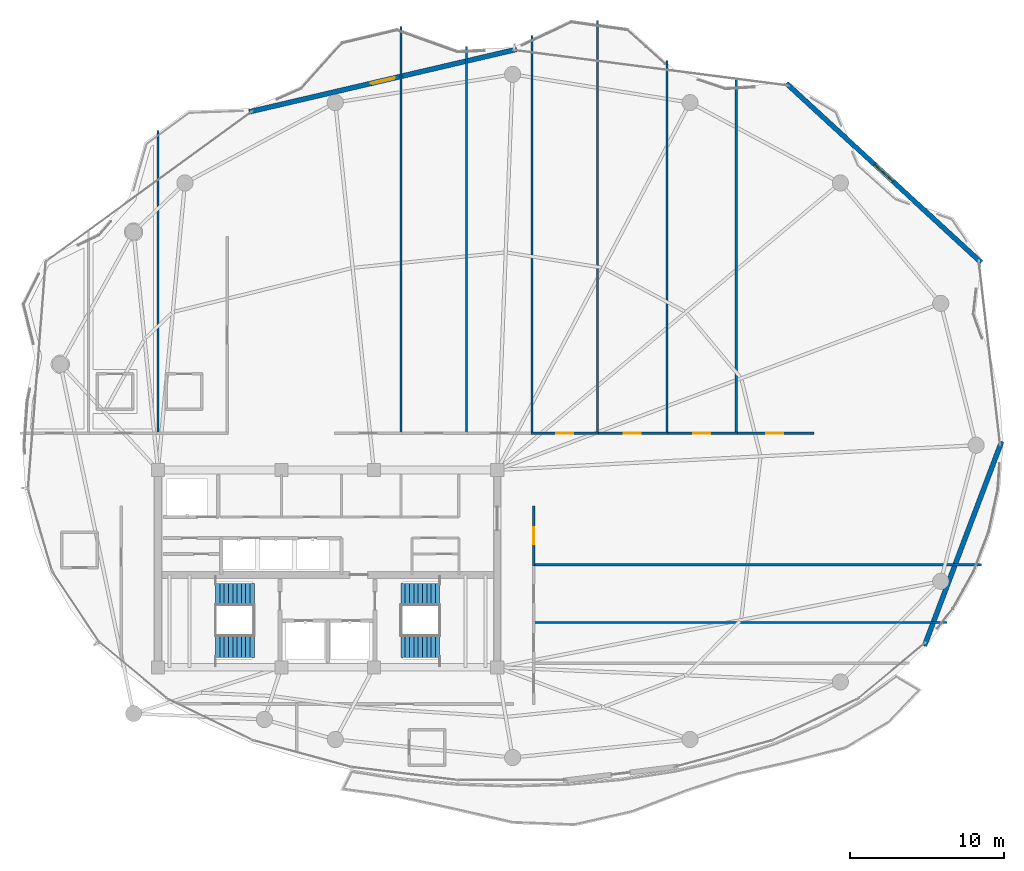
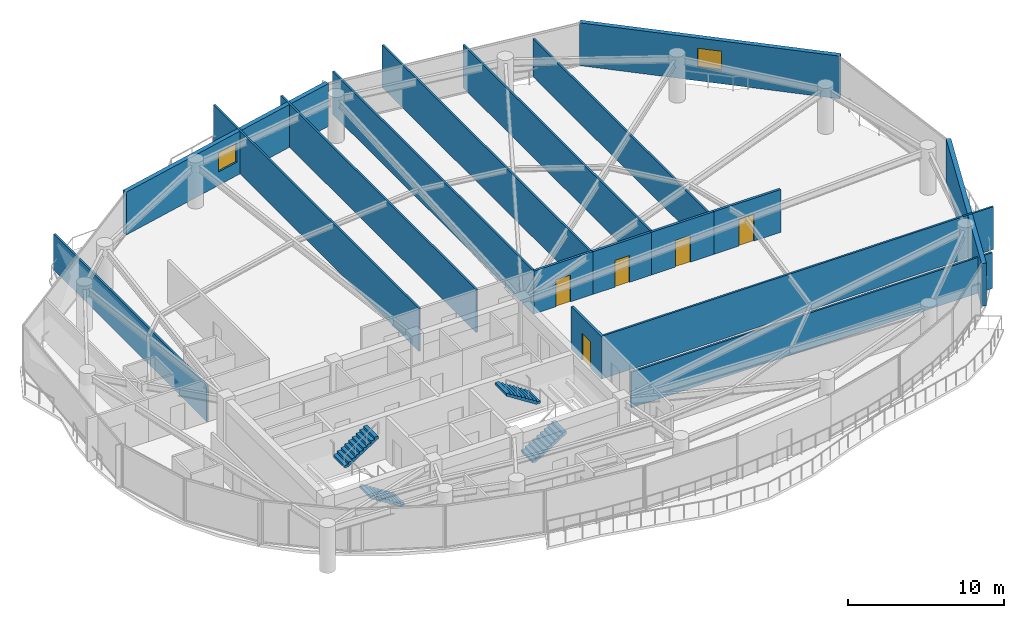
# One storey, part 27 of 31: 17 walls, 5 doors, 4 stair flights, 2 windows, 7 openings, 2 elements without a shape of their own.
"""IFC4 building model written with IfcOpenShell, lengths in metres."""

import ifcopenshell
import ifcopenshell.guid

model = None  # the IFC model being written
_history = None  # IfcOwnerHistory: only IFC2X3 demands one
_inside = {}  # id of a spatial element -> (the spatial element, [elements in it])
_under = {}  # id of a project, library or spatial element -> (it, [spatial elements below it])
_declared = {}  # id of a project -> (the project, [libraries it declares])
_typed = {}  # id of a type object -> (the type object, [elements of that type])
_made_of = {}  # id of a material, layer set ... -> (it, [elements and type objects made of it])


def new_model(schema):
    """Start an empty IFC model of exactly this schema.

    Asked for "IFC4X3", IfcOpenShell would pick the latest addendum, in which some entities
    have other attributes; the version numbers below select the first issue.
    IFC2X3 requires an IfcOwnerHistory on every rooted entity: one is made here for all.
    """
    global model, _history
    if schema == "IFC4X3":
        model = ifcopenshell.file(schema_version=(4, 3, 0, 0))
    else:
        model = ifcopenshell.file(schema=schema)
    _inside.clear()
    _under.clear()
    _declared.clear()
    _typed.clear()
    _made_of.clear()
    _history = None
    if model.schema == "IFC2X3":
        org = make("IfcOrganization", Name="unknown")
        user = make(
            "IfcPersonAndOrganization",
            ThePerson=make("IfcPerson", FamilyName="unknown"),
            TheOrganization=org,
        )
        app = make(
            "IfcApplication",
            ApplicationDeveloper=org,
            Version="unknown",
            ApplicationFullName="unknown",
            ApplicationIdentifier="unknown",
        )
        _history = make(
            "IfcOwnerHistory",
            OwningUser=user,
            OwningApplication=app,
            ChangeAction="ADDED",
            CreationDate=0,
        )
    return model


def make(cls, **values):
    """One entity of the class cls with the attributes given. An attribute that is None is left unset."""
    return model.create_entity(
        cls, **{name: value for name, value in values.items() if value is not None}
    )


def rooted(cls, **values):
    """An entity with a GlobalId (a new one), such as an element, a storey or a relation."""
    return make(cls, GlobalId=ifcopenshell.guid.new(), OwnerHistory=_history, **values)


def si_unit(unit_type, name, prefix=None):
    """IfcSIUnit, for example si_unit("LENGTHUNIT", "METRE", prefix="MILLI")."""
    return make("IfcSIUnit", UnitType=unit_type, Prefix=prefix, Name=name)


def assignment(units):
    """IfcUnitAssignment: the units of a project."""
    return None if units is None else make("IfcUnitAssignment", Units=units)


def point(xyz):
    """IfcCartesianPoint."""
    return None if xyz is None else make("IfcCartesianPoint", Coordinates=xyz)


def direction(xyz):
    """IfcDirection."""
    return None if xyz is None else make("IfcDirection", DirectionRatios=xyz)


def frame(location, z_axis=None, x_axis=None):
    """IfcAxis2Placement3D, a coordinate frame: its origin and axes. An axis left out is left unset."""
    return make(
        "IfcAxis2Placement3D",
        Location=point(location),
        Axis=direction(z_axis),
        RefDirection=direction(x_axis),
    )


def frame_2d(location, x_axis=None):
    """IfcAxis2Placement2D, a coordinate frame in the plane: its origin and x axis."""
    return make(
        "IfcAxis2Placement2D", Location=point(location), RefDirection=direction(x_axis)
    )


def origin():
    """The frame at (0, 0, 0) with its axes left unset."""
    return frame((0.0, 0.0, 0.0))


def place(relative_to, where):
    """IfcLocalPlacement: puts the frame where relative to a parent placement (None: the world)."""
    return make(
        "IfcLocalPlacement", PlacementRelTo=relative_to, RelativePlacement=where
    )


def context(
    kind, dimensions, precision=None, world=None, true_north=None, identifier=None
):
    """IfcGeometricRepresentationContext, for example the 3D "Model" context."""
    return make(
        "IfcGeometricRepresentationContext",
        ContextIdentifier=identifier,
        ContextType=kind,
        CoordinateSpaceDimension=dimensions,
        Precision=precision,
        WorldCoordinateSystem=world,
        TrueNorth=true_north,
    )


def subcontext(parent, identifier, kind, view, scale=None):
    """IfcGeometricRepresentationSubContext, for example "Body" below "Model"."""
    return make(
        "IfcGeometricRepresentationSubContext",
        ContextIdentifier=identifier,
        ContextType=kind,
        ParentContext=parent,
        TargetScale=scale,
        TargetView=view,
    )


def project(units=None, contexts=None):
    """IfcProject with its units and contexts."""
    return rooted(
        "IfcProject",
        Name="project",
        RepresentationContexts=contexts,
        UnitsInContext=assignment(units),
    )


def spatial(cls, under=None, at=None, **own):
    """A site, building, storey or space (cls), placed at a placement, below another one or the project."""
    s = rooted(cls, ObjectPlacement=at, **own)
    if under is not None:
        _under.setdefault(under.id(), (under, []))[1].append(s)
    return s


def polyline(points):
    """IfcPolyline through the points."""
    return make("IfcPolyline", Points=[point(p) for p in points])


def profile(cls, at=None, kind="AREA", **sizes):
    """A parametric profile (cls). Its sizes go by their IFC names, for example OverallWidth=200.0."""
    return make(cls, ProfileType=kind, Position=at, **sizes)


def rectangle(**sizes):
    """IfcRectangleProfileDef."""
    return profile("IfcRectangleProfileDef", **sizes)


def outline(outer, holes=None, kind="AREA"):
    """IfcArbitraryClosedProfileDef: a profile drawn as a closed curve; with holes, ...WithVoids."""
    if holes is None:
        return make("IfcArbitraryClosedProfileDef", ProfileType=kind, OuterCurve=outer)
    return make(
        "IfcArbitraryProfileDefWithVoids",
        ProfileType=kind,
        OuterCurve=outer,
        InnerCurves=holes,
    )


def extrude(swept, where, along, depth):
    """IfcExtrudedAreaSolid: the profile swept, set in the frame where, extruded along a direction by depth."""
    return make(
        "IfcExtrudedAreaSolid",
        SweptArea=swept,
        Position=where,
        ExtrudedDirection=direction(along),
        Depth=depth,
    )


def shape(context_of_items, identifier, shape_type, items):
    """IfcShapeRepresentation: the items that make up one representation, for example the "Body"."""
    return make(
        "IfcShapeRepresentation",
        ContextOfItems=context_of_items,
        RepresentationIdentifier=identifier,
        RepresentationType=shape_type,
        Items=items,
    )


def material(Name=None, Category=None):
    """IfcMaterial."""
    return make("IfcMaterial", Name=Name, Category=Category)


def layer(
    of_material, thickness, ventilated=None, Name=None, Category=None, Priority=None
):
    """IfcMaterialLayer: one layer of a wall or slab, of a material (None: an air gap)."""
    return make(
        "IfcMaterialLayer",
        Material=of_material,
        LayerThickness=thickness,
        IsVentilated=ventilated,
        Name=Name,
        Category=Category,
        Priority=Priority,
    )


def layer_set(layers, Name=None):
    """IfcMaterialLayerSet."""
    return make("IfcMaterialLayerSet", MaterialLayers=layers, LayerSetName=Name)


def made_of(thing, what):
    """Note that an element or type object is made of a material, layer set ...; save() writes the relation."""
    if what is not None:
        _made_of.setdefault(what.id(), (what, []))[1].append(thing)
    return thing


def type_object(cls, material=None, **own):
    """A type object (cls), such as IfcWallType, which elements share."""
    return made_of(rooted(cls, **own), material)


def element(
    cls,
    number,
    at=None,
    inside=None,
    cuts=None,
    type_object=None,
    material=None,
    context=None,
    identifier="Body",
    shape_type=None,
    held_by="IfcProductDefinitionShape",
    body=None,
    shapes=None,
    **own,
):
    """One element of the class cls, such as IfcWall. Its Tag is "e" and its number.

    at: its placement. inside: the storey or other place that contains it. cuts: it is an
    opening in that element (IfcRelVoidsElement). A single representation is given by context,
    identifier, shape_type and body (its items); several are given by shapes. held_by: the class
    of the entity that holds the representations. save() writes the other relations.
    """
    e = rooted(cls, Tag="e%d" % number, ObjectPlacement=at, **own)
    if body is not None:
        shapes = [shape(context, identifier, shape_type, body)]
    if shapes is not None:
        e.Representation = make(held_by, Representations=shapes)
    if inside is not None:
        _inside.setdefault(inside.id(), (inside, []))[1].append(e)
    if cuts is not None:
        rooted(
            "IfcRelVoidsElement", RelatingBuildingElement=cuts, RelatedOpeningElement=e
        )
    if type_object is not None:
        _typed.setdefault(type_object.id(), (type_object, []))[1].append(e)
    return made_of(e, material)


def fill(opening, filler):
    """IfcRelFillsElement: the door or window that sits in an opening."""
    return rooted(
        "IfcRelFillsElement",
        RelatingOpeningElement=opening,
        RelatedBuildingElement=filler,
    )


def aggregate(whole, parts):
    """IfcRelAggregates: a whole, such as a stair, and the parts it consists of."""
    return rooted("IfcRelAggregates", RelatingObject=whole, RelatedObjects=parts)


def save(model, path):
    """Write the relations noted so far, then the file.

    IfcRelAggregates (storeys below a building ...), IfcRelContainedInSpatialStructure (elements
    in a storey), IfcRelDefinesByType, IfcRelAssociatesMaterial and IfcRelDeclares: one each for
    every whole, place, type object, material and project.
    """
    for whole, parts in _under.values():
        aggregate(whole, parts)
    for where, things in _inside.values():
        rooted(
            "IfcRelContainedInSpatialStructure",
            RelatedElements=things,
            RelatingStructure=where,
        )
    for kind, things in _typed.values():
        rooted("IfcRelDefinesByType", RelatedObjects=things, RelatingType=kind)
    for what, things in _made_of.values():
        rooted("IfcRelAssociatesMaterial", RelatedObjects=things, RelatingMaterial=what)
    for by, libraries in _declared.values():
        rooted("IfcRelDeclares", RelatingContext=by, RelatedDefinitions=libraries)
    model.write(path)


model = new_model("IFC4")

# Units and contexts
model_context = context("Model", 3, precision=1e-05, world=origin(), true_north=direction((0.0, 1.0)))
body_context = subcontext(model_context, "Body", "Model", "MODEL_VIEW")
ifc_project = project(units=[si_unit("LENGTHUNIT", "METRE"), si_unit("AREAUNIT", "SQUARE_METRE"), si_unit("VOLUMEUNIT", "CUBIC_METRE"), si_unit("PLANEANGLEUNIT", "RADIAN"), si_unit("MASSUNIT", "GRAM", prefix="KILO")], contexts=[model_context])

# Site, building, storey
site_placement = place(None, origin())
site = spatial("IfcSite", under=ifc_project, at=site_placement, CompositionType="ELEMENT")
building_placement = place(site_placement, origin())
building = spatial("IfcBuilding", under=site, at=building_placement, Name="Kazevale Care Tower and Concert Hall", CompositionType="ELEMENT")
storey_placement = place(building_placement, frame((0.0, 0.0, 220.800048828125)))
storey = spatial("IfcBuildingStorey", under=building, at=storey_placement, Name="L58", CompositionType="ELEMENT", Elevation=220.800048828125)

# Walls
ifc_material_1 = material(Name="Acoustic Gypsum on Steel Stud", Category="steel")
ifc_layer_1 = layer(ifc_material_1, 0.139892578125)
ifc_layer_set_1 = layer_set([ifc_layer_1], Name="Acoustic Gypsum on Steel Stud")
wall_type_1 = type_object("IfcWallType", Name="Acoustic Care & Suite Partition 140", PredefinedType="PARTITIONING", material=ifc_layer_set_1)
wall_1_placement = place(storey_placement, frame((22.0, 58.4140625, 0.0), z_axis=(0.0, 0.0, 1.0), x_axis=(0.0, -1.0, 0.0)))
element("IfcWall", 1, at=wall_1_placement, inside=storey, type_object=wall_type_1, Name="wall:L58:auto_020", PredefinedType="PARTITIONING", context=body_context, shape_type="SweptSolid", body=[
    extrude(rectangle(XDim=19.6689453125, YDim=0.139892578125, at=frame_2d((9.83447265625, 0.0))), origin(), (0.0, 0.0, 1.0), 2.805908203125),
])
wall_2_placement = place(storey_placement, frame((37.75, 65.14990234375, 0.0), z_axis=(0.0, 0.0, 1.0), x_axis=(0.0, -1.0, 0.0)))
element("IfcWall", 2, at=wall_2_placement, inside=storey, type_object=wall_type_1, Name="wall:L58:auto_021", PredefinedType="PARTITIONING", context=body_context, shape_type="SweptSolid", body=[
    extrude(rectangle(XDim=26.40478515625, YDim=0.139892578125, at=frame_2d((13.202392578125, 0.0))), origin(), (0.0, 0.0, 1.0), 3.35986328125),
])
wall_3_placement = place(storey_placement, frame((42.0, 63.863037109375, 0.0), z_axis=(0.0, 0.0, 1.0), x_axis=(0.0, -1.0, 0.0)))
element("IfcWall", 3, at=wall_3_placement, inside=storey, type_object=wall_type_1, Name="wall:L58:auto_022", PredefinedType="PARTITIONING", context=body_context, shape_type="SweptSolid", body=[
    extrude(rectangle(XDim=25.117919921875, YDim=0.139892578125, at=frame_2d((12.55908203125, 0.0))), origin(), (0.0, 0.0, 1.0), 3.35986328125),
])
wall_4_placement = place(storey_placement, frame((46.25, 64.568115234375, 0.0), z_axis=(0.0, 0.0, 1.0), x_axis=(0.0, -1.0, 0.0)))
element("IfcWall", 4, at=wall_4_placement, inside=storey, type_object=wall_type_1, Name="wall:L58:auto_023", PredefinedType="PARTITIONING", context=body_context, shape_type="SweptSolid", body=[
    extrude(rectangle(XDim=25.822998046875, YDim=0.139892578125, at=frame_2d((12.91162109375, 0.0))), origin(), (0.0, 0.0, 1.0), 3.35986328125),
])
wall_5_placement = place(storey_placement, frame((50.5, 65.532958984375, 0.0), z_axis=(0.0, 0.0, 1.0), x_axis=(0.0, -1.0, 0.0)))
element("IfcWall", 5, at=wall_5_placement, inside=storey, type_object=wall_type_1, Name="wall:L58:auto_024", PredefinedType="PARTITIONING", context=body_context, shape_type="SweptSolid", body=[
    extrude(rectangle(XDim=26.787841796875, YDim=0.139892578125, at=frame_2d((13.39404296875, 0.0))), origin(), (0.0, 0.0, 1.0), 3.35986328125),
])
wall_6_placement = place(storey_placement, frame((55.0, 62.944091796875, 0.0), z_axis=(0.0, 0.0, 1.0), x_axis=(0.0, -1.0, 0.0)))
element("IfcWall", 6, at=wall_6_placement, inside=storey, type_object=wall_type_1, Name="wall:L58:auto_025", PredefinedType="PARTITIONING", context=body_context, shape_type="SweptSolid", body=[
    extrude(rectangle(XDim=24.198974609375, YDim=0.139892578125, at=frame_2d((12.099609375, 0.0))), origin(), (0.0, 0.0, 1.0), 3.35986328125),
])
wall_7_placement = place(storey_placement, frame((59.5, 61.744873046875, 0.0), z_axis=(0.0, 0.0, 1.0), x_axis=(0.0, -1.0, 0.0)))
element("IfcWall", 7, at=wall_7_placement, inside=storey, type_object=wall_type_1, Name="wall:L58:auto_026", PredefinedType="PARTITIONING", context=body_context, shape_type="SweptSolid", body=[
    extrude(rectangle(XDim=22.999755859375, YDim=0.139892578125, at=frame_2d((11.5, 0.0))), origin(), (0.0, 0.0, 1.0), 2.995849609375),
])
wall_8_placement = place(storey_placement, frame((46.344970703125, 26.5, 0.0), z_axis=(0.0, 0.0, 1.0), x_axis=(1.0, 0.0, 0.0)))
element("IfcWall", 8, at=wall_8_placement, inside=storey, type_object=wall_type_1, Name="wall:L58:auto_028", PredefinedType="PARTITIONING", context=body_context, shape_type="SweptSolid", body=[
    extrude(rectangle(XDim=26.819091796875, YDim=0.139892578125, at=frame_2d((13.40966796875, 0.0))), origin(), (0.0, 0.0, 1.0), 2.805908203125),
])
wall_9_placement = place(storey_placement, frame((46.344970703125, 30.25, 0.0), z_axis=(0.0, 0.0, 1.0), x_axis=(1.0, 0.0, 0.0)))
element("IfcWall", 9, at=wall_9_placement, inside=storey, type_object=wall_type_1, Name="wall:L58:auto_029", PredefinedType="PARTITIONING", context=body_context, shape_type="SweptSolid", body=[
    extrude(rectangle(XDim=29.049072265625, YDim=0.139892578125, at=frame_2d((14.5244140625, 0.0))), origin(), (0.0, 0.0, 1.0), 3.35986328125),
])

# Wall, opening, door
ifc_material_2 = material(Name="Concrete C40 and Acoustic Gypsum", Category="concrete")
ifc_layer_2 = layer(ifc_material_2, 0.179931640625)
ifc_layer_set_2 = layer_set([ifc_layer_2], Name="Concrete C40 and Acoustic Gypsum")
wall_type_2 = type_object("IfcWallType", Name="Fire-Rated Corridor & Party Wall 180", PredefinedType="PARTITIONING", material=ifc_layer_set_2)
wall_10_placement = place(storey_placement, frame((46.18505859375, 38.77490234375, 0.0), z_axis=(0.0, 0.0, 1.0), x_axis=(1.0, 0.0, 0.0)))
wall_10 = element("IfcWall", 10, at=wall_10_placement, inside=storey, type_object=wall_type_2, Name="wall:L58:auto_008", PredefinedType="PARTITIONING", context=body_context, shape_type="SweptSolid", body=[
    extrude(rectangle(XDim=4.3798828125, YDim=0.179931640625, at=frame_2d((2.18994140625, 0.0))), origin(), (0.0, 0.0, 1.0), 3.35986328125),
])
opening_1_placement = place(wall_10_placement, frame((1.639892578125, 0.0, 0.0)))
opening_1 = element("IfcOpeningElement", 11, at=opening_1_placement, cuts=wall_10, Name="Opening ID-1100", PredefinedType="OPENING", context=body_context, shape_type="SweptSolid", body=[
    extrude(rectangle(XDim=1.10009765625, YDim=2.10009765625, at=frame_2d((0.550048828125, 1.050048828125))), frame((0.0, 0.099853515625, 0.0), z_axis=(0.0, -1.0, 0.0), x_axis=(1.0, 0.0, 0.0)), (0.0, 0.0, 1.0), 0.199951171875),
])
ifc_material_3 = material(Name="Oak Timber Fire Leaf", Category="wood")
door_type = type_object("IfcDoorType", Name="Care Bedroom Accessible Door 1100x2100", OperationType="NOTDEFINED", PredefinedType="DOOR", material=ifc_material_3)
door_1_placement = place(opening_1_placement, origin())
door_1 = element("IfcDoor", 12, at=door_1_placement, inside=storey, type_object=door_type, Name="door:L58:ad_008", OperationType="SINGLE_SWING_LEFT", OverallHeight=2.10009765625, OverallWidth=1.10009765625, PredefinedType="DOOR", context=body_context, shape_type="SweptSolid", body=[
    extrude(rectangle(XDim=1.10009765625, YDim=2.10009765625, at=frame_2d((0.550048828125, 1.050048828125))), frame((0.0, 0.02490234375, 0.0), z_axis=(0.0, -1.0, 0.0), x_axis=(1.0, 0.0, 0.0)), (0.0, 0.0, 1.0), 0.050048828125),
])
fill(opening_1, door_1)

wall_11_placement = place(storey_placement, frame((50.43505859375, 38.77490234375, 0.0), z_axis=(0.0, 0.0, 1.0), x_axis=(1.0, 0.0, 0.0)))
wall_11 = element("IfcWall", 13, at=wall_11_placement, inside=storey, type_object=wall_type_2, Name="wall:L58:auto_009", PredefinedType="PARTITIONING", context=body_context, shape_type="SweptSolid", body=[
    extrude(rectangle(XDim=4.6298828125, YDim=0.179931640625, at=frame_2d((2.31494140625, 0.0))), origin(), (0.0, 0.0, 1.0), 3.35986328125),
])
opening_2_placement = place(wall_11_placement, frame((1.764892578125, 0.0, 0.0)))
opening_2 = element("IfcOpeningElement", 14, at=opening_2_placement, cuts=wall_11, Name="Opening ID-1100", PredefinedType="OPENING", context=body_context, shape_type="SweptSolid", body=[
    extrude(rectangle(XDim=1.10009765625, YDim=2.10009765625, at=frame_2d((0.550048828125, 1.050048828125))), frame((0.0, 0.099853515625, 0.0), z_axis=(0.0, -1.0, 0.0), x_axis=(1.0, 0.0, 0.0)), (0.0, 0.0, 1.0), 0.199951171875),
])
door_2_placement = place(opening_2_placement, origin())
door_2 = element("IfcDoor", 15, at=door_2_placement, inside=storey, type_object=door_type, Name="door:L58:ad_009", OperationType="SINGLE_SWING_LEFT", OverallHeight=2.10009765625, OverallWidth=1.10009765625, PredefinedType="DOOR", context=body_context, shape_type="SweptSolid", body=[
    extrude(rectangle(XDim=1.10009765625, YDim=2.10009765625, at=frame_2d((0.550048828125, 1.050048828125))), frame((0.0, 0.02490234375, 0.0), z_axis=(0.0, -1.0, 0.0), x_axis=(1.0, 0.0, 0.0)), (0.0, 0.0, 1.0), 0.050048828125),
])
fill(opening_2, door_2)

wall_12_placement = place(storey_placement, frame((54.93505859375, 38.77490234375, 0.0), z_axis=(0.0, 0.0, 1.0), x_axis=(1.0, 0.0, 0.0)))
wall_12 = element("IfcWall", 16, at=wall_12_placement, inside=storey, type_object=wall_type_2, Name="wall:L58:auto_010", PredefinedType="PARTITIONING", context=body_context, shape_type="SweptSolid", body=[
    extrude(rectangle(XDim=4.6298828125, YDim=0.179931640625, at=frame_2d((2.31494140625, 0.0))), origin(), (0.0, 0.0, 1.0), 3.35986328125),
])
opening_3_placement = place(wall_12_placement, frame((1.764892578125, 0.0, 0.0)))
opening_3 = element("IfcOpeningElement", 17, at=opening_3_placement, cuts=wall_12, Name="Opening ID-1100", PredefinedType="OPENING", context=body_context, shape_type="SweptSolid", body=[
    extrude(rectangle(XDim=1.10009765625, YDim=2.10009765625, at=frame_2d((0.550048828125, 1.050048828125))), frame((0.0, 0.099853515625, 0.0), z_axis=(0.0, -1.0, 0.0), x_axis=(1.0, 0.0, 0.0)), (0.0, 0.0, 1.0), 0.199951171875),
])
door_3_placement = place(opening_3_placement, origin())
door_3 = element("IfcDoor", 18, at=door_3_placement, inside=storey, type_object=door_type, Name="door:L58:ad_010", OperationType="SINGLE_SWING_LEFT", OverallHeight=2.10009765625, OverallWidth=1.10009765625, PredefinedType="DOOR", context=body_context, shape_type="SweptSolid", body=[
    extrude(rectangle(XDim=1.10009765625, YDim=2.10009765625, at=frame_2d((0.550048828125, 1.050048828125))), frame((0.0, 0.02490234375, 0.0), z_axis=(0.0, -1.0, 0.0), x_axis=(1.0, 0.0, 0.0)), (0.0, 0.0, 1.0), 0.050048828125),
])
fill(opening_3, door_3)

wall_13_placement = place(storey_placement, frame((59.43505859375, 38.77490234375, 0.0), z_axis=(0.0, 0.0, 1.0), x_axis=(1.0, 0.0, 0.0)))
wall_13 = element("IfcWall", 19, at=wall_13_placement, inside=storey, type_object=wall_type_2, Name="wall:L58:auto_011", PredefinedType="PARTITIONING", context=body_context, shape_type="SweptSolid", body=[
    extrude(rectangle(XDim=5.094970703125, YDim=0.179931640625, at=frame_2d((2.54736328125, 0.0))), origin(), (0.0, 0.0, 1.0), 3.35986328125),
])
opening_4_placement = place(wall_13_placement, frame((1.9970703125, 0.0, 0.0)))
opening_4 = element("IfcOpeningElement", 20, at=opening_4_placement, cuts=wall_13, Name="Opening ID-1100", PredefinedType="OPENING", context=body_context, shape_type="SweptSolid", body=[
    extrude(rectangle(XDim=1.10009765625, YDim=2.10009765625, at=frame_2d((0.550048828125, 1.050048828125))), frame((0.0, 0.099853515625, 0.0), z_axis=(0.0, -1.0, 0.0), x_axis=(1.0, 0.0, 0.0)), (0.0, 0.0, 1.0), 0.199951171875),
])
door_4_placement = place(opening_4_placement, origin())
door_4 = element("IfcDoor", 21, at=door_4_placement, inside=storey, type_object=door_type, Name="door:L58:ad_011", OperationType="SINGLE_SWING_LEFT", OverallHeight=2.10009765625, OverallWidth=1.10009765625, PredefinedType="DOOR", context=body_context, shape_type="SweptSolid", body=[
    extrude(rectangle(XDim=1.10009765625, YDim=2.10009765625, at=frame_2d((0.550048828125, 1.050048828125))), frame((0.0, 0.02490234375, 0.0), z_axis=(0.0, -1.0, 0.0), x_axis=(1.0, 0.0, 0.0)), (0.0, 0.0, 1.0), 0.050048828125),
])
fill(opening_4, door_4)

wall_14_placement = place(storey_placement, frame((46.375, 34.06494140625, 0.0), z_axis=(0.0, 0.0, 1.0), x_axis=(0.0, -1.0, 0.0)))
wall_14 = element("IfcWall", 22, at=wall_14_placement, inside=storey, type_object=wall_type_2, Name="wall:L58:auto_015", PredefinedType="PARTITIONING", context=body_context, shape_type="SweptSolid", body=[
    extrude(rectangle(XDim=3.8798828125, YDim=0.179931640625, at=frame_2d((1.93994140625, 0.0))), origin(), (0.0, 0.0, 1.0), 3.35986328125),
])
opening_5_placement = place(wall_14_placement, frame((1.389892578125, 0.0, 0.0)))
opening_5 = element("IfcOpeningElement", 23, at=opening_5_placement, cuts=wall_14, Name="Opening ID-1100", PredefinedType="OPENING", context=body_context, shape_type="SweptSolid", body=[
    extrude(rectangle(XDim=1.10009765625, YDim=2.10009765625, at=frame_2d((0.550048828125, 1.050048828125))), frame((0.0, 0.099853515625, 0.0), z_axis=(0.0, -1.0, 0.0), x_axis=(1.0, 0.0, 0.0)), (0.0, 0.0, 1.0), 0.199951171875),
])
door_5_placement = place(opening_5_placement, origin())
door_5 = element("IfcDoor", 24, at=door_5_placement, inside=storey, type_object=door_type, Name="door:L58:ad_015", OperationType="SINGLE_SWING_LEFT", OverallHeight=2.10009765625, OverallWidth=1.10009765625, PredefinedType="DOOR", context=body_context, shape_type="SweptSolid", body=[
    extrude(rectangle(XDim=1.10009765625, YDim=2.10009765625, at=frame_2d((0.550048828125, 1.050048828125))), frame((0.0, 0.02490234375, 0.0), z_axis=(0.0, -1.0, 0.0), x_axis=(1.0, 0.0, 0.0)), (0.0, 0.0, 1.0), 0.050048828125),
])
fill(opening_5, door_5)

# Wall
ifc_material_4 = material(Name="Concrete C40 with Honed Limestone Cladding", Category="masonry")
ifc_layer_3 = layer(ifc_material_4, 0.320068359375)
ifc_layer_set_3 = layer_set([ifc_layer_3], Name="Concrete C40 with Honed Limestone Cladding")
wall_type_3 = type_object("IfcWallType", Name="Tower Honed Limestone Spandrel Wall 320", PredefinedType="STANDARD", material=ifc_layer_set_3)
wall_15_placement = place(storey_placement, frame((76.7119140625, 38.242919921875, 0.0), z_axis=(0.0, 0.0, 1.0), x_axis=(-0.353659523244, -0.935374225441, 0.0)))
element("IfcWall", 25, at=wall_15_placement, inside=storey, type_object=wall_type_3, Name="wall:cw:L58:f01", PredefinedType="STANDARD", context=body_context, shape_type="SweptSolid", body=[
    extrude(rectangle(XDim=14.171630859375, YDim=0.320068359375, at=frame_2d((7.0859375, 0.0))), origin(), (0.0, 0.0, 1.0), 3.35986328125),
])

# Wall, opening, window
wall_16_placement = place(storey_placement, frame((27.908935546875, 59.616943359375, 0.0), z_axis=(0.0, 0.0, 1.0), x_axis=(0.973753606594, 0.227604731158, 0.0)))
wall_16 = element("IfcWall", 26, at=wall_16_placement, inside=storey, type_object=wall_type_3, Name="wall:L58:cbox:15", PredefinedType="STANDARD", context=body_context, shape_type="SweptSolid", body=[
    extrude(rectangle(XDim=17.816650390625, YDim=0.320068359375, at=frame_2d((8.908203125, 0.0))), origin(), (0.0, 0.0, 1.0), 3.35986328125),
])
opening_6_placement = place(wall_16_placement, frame((8.10888671875, 0.0, 1.050048828125)))
opening_6 = element("IfcOpeningElement", 27, at=opening_6_placement, cuts=wall_16, Name="Opening WIN-1", PredefinedType="OPENING", context=body_context, shape_type="SweptSolid", body=[
    extrude(rectangle(XDim=1.60009765625, YDim=1.5, at=frame_2d((0.800048828125, 0.75))), frame((0.0, 0.169921875, 0.0), z_axis=(0.0, -1.0, 0.0), x_axis=(1.0, 0.0, 0.0)), (0.0, 0.0, 1.0), 0.340087890625),
])
ifc_material_5 = material(Name="Low-E Laminated Glass", Category="glass")
window_type = type_object("IfcWindowType", Name="Convex Box Deep-Set Window 1600x1500", PartitioningType="DOUBLE_PANEL_VERTICAL", PredefinedType="WINDOW", material=ifc_material_5)
window_1_placement = place(opening_6_placement, origin())
window_1 = element("IfcWindow", 28, at=window_1_placement, inside=storey, type_object=window_type, Name="win:L58:cbox:15", OverallHeight=1.5, OverallWidth=1.60009765625, PartitioningType="SINGLE_PANEL", PredefinedType="WINDOW", context=body_context, shape_type="SweptSolid", body=[
    extrude(rectangle(XDim=1.60009765625, YDim=1.5, at=frame_2d((0.800048828125, 0.75))), frame((0.0, 0.030029296875, 0.0), z_axis=(0.0, -1.0, 0.0), x_axis=(1.0, 0.0, 0.0)), (0.0, 0.0, 1.0), 0.06005859375),
])
fill(opening_6, window_1)

wall_17_placement = place(storey_placement, frame((62.7509765625, 61.462890625, 0.0), z_axis=(0.0, 0.0, 1.0), x_axis=(0.736063690764, -0.676912286149, 0.0)))
wall_17 = element("IfcWall", 29, at=wall_17_placement, inside=storey, type_object=wall_type_3, Name="wall:L58:cbox:17", PredefinedType="STANDARD", context=body_context, shape_type="SweptSolid", body=[
    extrude(rectangle(XDim=17.16162109375, YDim=0.320068359375, at=frame_2d((8.580810546875, 0.0))), origin(), (0.0, 0.0, 1.0), 3.35986328125),
])
opening_7_placement = place(wall_17_placement, frame((7.781005859375, 0.0, 1.050048828125)))
opening_7 = element("IfcOpeningElement", 30, at=opening_7_placement, cuts=wall_17, Name="Opening WIN-1", PredefinedType="OPENING", context=body_context, shape_type="SweptSolid", body=[
    extrude(rectangle(XDim=1.60009765625, YDim=1.5, at=frame_2d((0.800048828125, 0.75))), frame((0.0, 0.169921875, 0.0), z_axis=(0.0, -1.0, 0.0), x_axis=(1.0, 0.0, 0.0)), (0.0, 0.0, 1.0), 0.340087890625),
])
window_2_placement = place(opening_7_placement, origin())
window_2 = element("IfcWindow", 31, at=window_2_placement, inside=storey, type_object=window_type, Name="win:L58:cbox:17", OverallHeight=1.5, OverallWidth=1.60009765625, PartitioningType="SINGLE_PANEL", PredefinedType="WINDOW", context=body_context, shape_type="SweptSolid", body=[
    extrude(rectangle(XDim=1.60009765625, YDim=1.5, at=frame_2d((0.800048828125, 0.75))), frame((0.0, 0.030029296875, 0.0), z_axis=(0.0, -1.0, 0.0), x_axis=(1.0, 0.0, 0.0)), (0.0, 0.0, 1.0), 0.06005859375),
])
fill(opening_7, window_2)

# Stair, stair flights
ifc_material_6 = material(Name="Concrete C40", Category="concrete")
stair_type = type_object("IfcStairType", Name="Exit Stair Assembly ST1-Z3", PredefinedType="HALF_TURN_STAIR", material=ifc_material_6)
stair_1_placement = place(storey_placement, origin())
stair_1 = element("IfcStair", 32, at=stair_1_placement, inside=storey, type_object=stair_type, Name="stair:L58:ST1", PredefinedType="HALF_TURN_STAIR")
ifc_layer_4 = layer(ifc_material_6, 0.159912109375)
ifc_layer_set_4 = layer_set([ifc_layer_4], Name="Concrete C40")
stair_flight_type = type_object("IfcStairFlightType", Name="Exit Stair Flight ST1-Z3", PredefinedType="STRAIGHT", material=ifc_layer_set_4)
stair_flight_1_placement = place(storey_placement, frame((28.25, 24.97509765625, 0.0), z_axis=(0.0, 0.0, 1.0), x_axis=(-1.0, 0.0, 0.0)))
stair_flight_1 = element("IfcStairFlight", 33, at=stair_flight_1_placement, type_object=stair_flight_type, Name="ST1-Z3 flight 1", NumberOfRisers=10, NumberOfTreads=9, PredefinedType="STRAIGHT", RiserHeight=0.18, TreadLength=0.28, context=body_context, shape_type="SweptSolid", body=[
    extrude(outline(polyline([(0.0, 0.0), (0.0, 0.179931640625), (0.280029296875, 0.179931640625), (0.280029296875, 0.360107421875), (0.56005859375, 0.360107421875), (0.56005859375, 0.5400390625), (0.840087890625, 0.5400390625), (0.840087890625, 0.719970703125), (1.1201171875, 0.719970703125), (1.1201171875, 0.89990234375), (1.39990234375, 0.89990234375), (1.39990234375, 1.080078125), (1.679931640625, 1.080078125), (1.679931640625, 1.260009765625), (1.9599609375, 1.260009765625), (1.9599609375, 1.43994140625), (2.239990234375, 1.43994140625), (2.239990234375, 1.6201171875), (2.52001953125, 1.6201171875), (2.52001953125, 1.800048828125), (2.52001953125, 1.429931640625), (0.295654296875, 0.0), (0.0, 0.0)])), frame((0.0, 0.72509765625, 0.0), z_axis=(0.0, -1.0, 0.0), x_axis=(1.0, 0.0, 0.0)), (0.0, 0.0, 1.0), 1.449951171875),
])
stair_flight_2_placement = place(storey_placement, frame((25.72998046875, 28.324951171875, 1.800048828125), z_axis=(0.0, 0.0, 1.0), x_axis=(1.0, 0.0, 0.0)))
stair_flight_2 = element("IfcStairFlight", 34, at=stair_flight_2_placement, type_object=stair_flight_type, Name="ST1-Z3 flight 2", NumberOfRisers=10, NumberOfTreads=9, PredefinedType="STRAIGHT", RiserHeight=0.18, TreadLength=0.28, context=body_context, shape_type="SweptSolid", body=[
    extrude(outline(polyline([(0.0, 0.0), (0.0, 0.179931640625), (0.280029296875, 0.179931640625), (0.280029296875, 0.360107421875), (0.56005859375, 0.360107421875), (0.56005859375, 0.5400390625), (0.840087890625, 0.5400390625), (0.840087890625, 0.719970703125), (1.1201171875, 0.719970703125), (1.1201171875, 0.89990234375), (1.39990234375, 0.89990234375), (1.39990234375, 1.080078125), (1.679931640625, 1.080078125), (1.679931640625, 1.260009765625), (1.9599609375, 1.260009765625), (1.9599609375, 1.43994140625), (2.239990234375, 1.43994140625), (2.239990234375, 1.6201171875), (2.52001953125, 1.6201171875), (2.52001953125, 1.800048828125), (2.52001953125, 1.429931640625), (0.295654296875, 0.0), (0.0, 0.0)])), frame((0.0, 0.72509765625, 0.0), z_axis=(0.0, -1.0, 0.0), x_axis=(1.0, 0.0, 0.0)), (0.0, 0.0, 1.0), 1.449951171875),
])
aggregate(stair_1, [stair_flight_1, stair_flight_2])

stair_2_placement = place(storey_placement, origin())
stair_2 = element("IfcStair", 35, at=stair_2_placement, inside=storey, type_object=stair_type, Name="stair:L58:ST2", PredefinedType="HALF_TURN_STAIR")
stair_flight_3_placement = place(storey_placement, frame((37.75, 24.97509765625, 0.0), z_axis=(0.0, 0.0, 1.0), x_axis=(1.0, 0.0, 0.0)))
stair_flight_3 = element("IfcStairFlight", 36, at=stair_flight_3_placement, type_object=stair_flight_type, Name="ST1-Z3 flight 1", NumberOfRisers=10, NumberOfTreads=9, PredefinedType="STRAIGHT", RiserHeight=0.18, TreadLength=0.28, context=body_context, shape_type="SweptSolid", body=[
    extrude(outline(polyline([(0.0, 0.0), (0.0, 0.179931640625), (0.280029296875, 0.179931640625), (0.280029296875, 0.360107421875), (0.56005859375, 0.360107421875), (0.56005859375, 0.5400390625), (0.840087890625, 0.5400390625), (0.840087890625, 0.719970703125), (1.1201171875, 0.719970703125), (1.1201171875, 0.89990234375), (1.39990234375, 0.89990234375), (1.39990234375, 1.080078125), (1.679931640625, 1.080078125), (1.679931640625, 1.260009765625), (1.9599609375, 1.260009765625), (1.9599609375, 1.43994140625), (2.239990234375, 1.43994140625), (2.239990234375, 1.6201171875), (2.52001953125, 1.6201171875), (2.52001953125, 1.800048828125), (2.52001953125, 1.429931640625), (0.295654296875, 0.0), (0.0, 0.0)])), frame((0.0, 0.72509765625, 0.0), z_axis=(0.0, -1.0, 0.0), x_axis=(1.0, 0.0, 0.0)), (0.0, 0.0, 1.0), 1.449951171875),
])
stair_flight_4_placement = place(storey_placement, frame((40.27001953125, 28.324951171875, 1.800048828125), z_axis=(0.0, 0.0, 1.0), x_axis=(-1.0, 0.0, 0.0)))
stair_flight_4 = element("IfcStairFlight", 37, at=stair_flight_4_placement, type_object=stair_flight_type, Name="ST1-Z3 flight 2", NumberOfRisers=10, NumberOfTreads=9, PredefinedType="STRAIGHT", RiserHeight=0.18, TreadLength=0.28, context=body_context, shape_type="SweptSolid", body=[
    extrude(outline(polyline([(0.0, 0.0), (0.0, 0.179931640625), (0.280029296875, 0.179931640625), (0.280029296875, 0.360107421875), (0.56005859375, 0.360107421875), (0.56005859375, 0.5400390625), (0.840087890625, 0.5400390625), (0.840087890625, 0.719970703125), (1.1201171875, 0.719970703125), (1.1201171875, 0.89990234375), (1.39990234375, 0.89990234375), (1.39990234375, 1.080078125), (1.679931640625, 1.080078125), (1.679931640625, 1.260009765625), (1.9599609375, 1.260009765625), (1.9599609375, 1.43994140625), (2.239990234375, 1.43994140625), (2.239990234375, 1.6201171875), (2.52001953125, 1.6201171875), (2.52001953125, 1.800048828125), (2.52001953125, 1.429931640625), (0.295654296875, 0.0), (0.0, 0.0)])), frame((0.0, 0.72509765625, 0.0), z_axis=(0.0, -1.0, 0.0), x_axis=(1.0, 0.0, 0.0)), (0.0, 0.0, 1.0), 1.449951171875),
])
aggregate(stair_2, [stair_flight_3, stair_flight_4])

save(model, "model.ifc")
